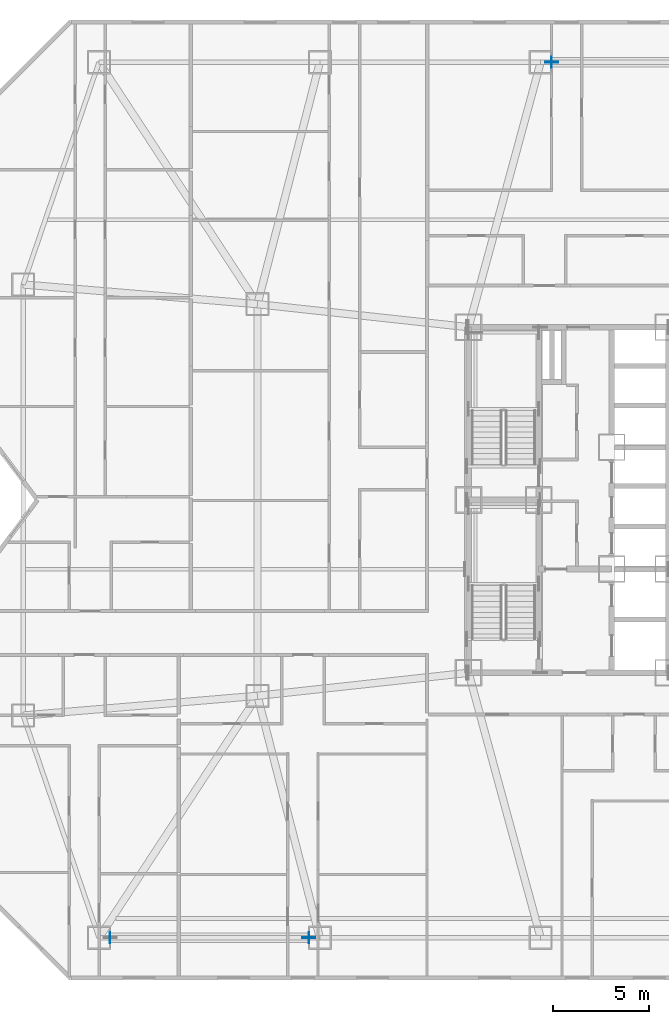
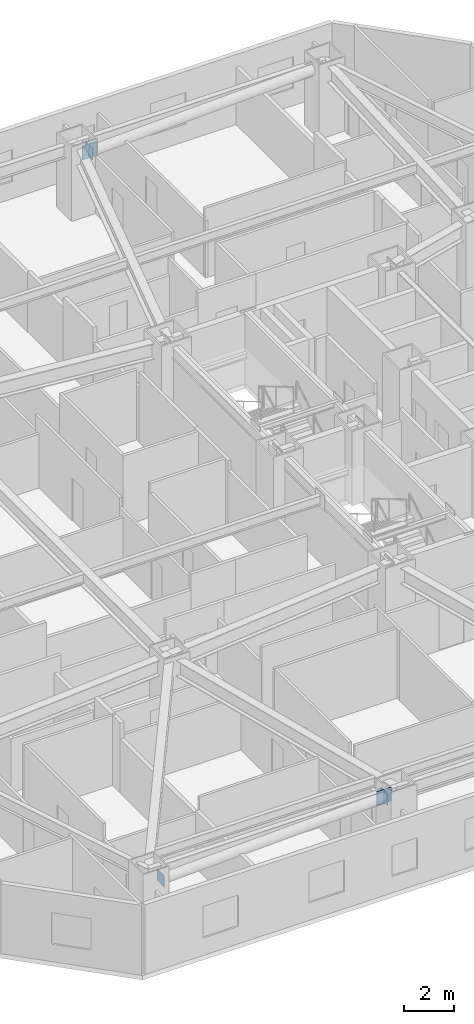
# One storey, part 15 of 25: 5 plates.
"""IFC4 building model written with IfcOpenShell, lengths in metres."""

from ifc_helpers import new_model, si_unit, direction, frame, origin, origin_2d, place, context, subcontext, project, spatial, rectangle, extrude, material, layer, layer_set, type_object, element, save


model = new_model("IFC4")

# Units and contexts
model_context = context("Model", 3, precision=1e-05, world=origin(), true_north=direction((0.0, 1.0)))
body_context = subcontext(model_context, "Body", "Model", "MODEL_VIEW")
ifc_project = project(units=[si_unit("LENGTHUNIT", "METRE"), si_unit("AREAUNIT", "SQUARE_METRE"), si_unit("VOLUMEUNIT", "CUBIC_METRE"), si_unit("PLANEANGLEUNIT", "RADIAN"), si_unit("MASSUNIT", "GRAM", prefix="KILO")], contexts=[model_context])

# Site, building, storey
site_placement = place(None, origin())
site = spatial("IfcSite", under=ifc_project, at=site_placement, CompositionType="ELEMENT")
building_placement = place(site_placement, origin())
building = spatial("IfcBuilding", under=site, at=building_placement, Name="Khamvora Tower", CompositionType="ELEMENT")
storey_placement = place(building_placement, frame((0.0, 0.0, 36.949951171875)))
storey = spatial("IfcBuildingStorey", under=building, at=storey_placement, Name="L08", CompositionType="ELEMENT", Elevation=36.949951171875)

# Plates
ifc_material_1 = material(Name="Steel S355", Category="steel")
ifc_layer_1 = layer(ifc_material_1, 0.02490234375)
ifc_layer_set_1 = layer_set([ifc_layer_1], Name="Steel S355")
plate_type_1 = type_object("IfcPlateType", Name="PL-CAP-25", PredefinedType="SHEET", material=ifc_layer_set_1)
for number, where, z_axis, x_axis, name in (
    (1, (10.318115234375, 5.199951171875, 2.41796875), (0.0, 0.0, 1.0), (1.0, 0.0, 0.0), "L08 hollow section steel end cap plate 0560"),
    (2, (20.681884765625, 5.199951171875, 2.81591796875), (0.0, 0.0, 1.0), (1.0, 0.0, 0.0), "L08 hollow section steel end cap plate 0561"),
    (3, (33.318115234375, 50.800048828125, 2.41796875), (0.0, 0.0, 1.0), (1.0, 0.0, 0.0), "L08 hollow section steel end cap plate 0562"),
):
    element("IfcPlate", number, at=place(storey_placement, frame(where, z_axis=z_axis, x_axis=x_axis)), inside=storey, type_object=plate_type_1, Name=name, PredefinedType="SHEET", context=body_context, shape_type="SweptSolid", body=[
        extrude(rectangle(XDim=0.02490234375, YDim=0.568115234375, at=origin_2d()), origin(), (0.0, 0.0, 1.0), 0.568115234375),
    ])
ifc_material_2 = material(Name="Steel S460", Category="steel")
ifc_layer_2 = layer(ifc_material_2, 0.0400390625)
ifc_layer_set_2 = layer_set([ifc_layer_2], Name="Steel S460")
plate_type_2 = type_object("IfcPlateType", Name="PLT-GUS-40", PredefinedType="SHEET", material=ifc_layer_set_2)
for number, where, z_axis, x_axis, name in (
    (4, (20.669921875, 5.199951171875, 2.76025390625), (0.0, 0.0, 1.0), (1.0, 0.0, 0.0), "L08 brace connection node gusset plate 0078"),
    (5, (33.330078125, 50.800048828125, 2.3623046875), (0.0, 0.0, 1.0), (1.0, 0.0, 0.0), "L08 brace connection node gusset plate 0079"),
):
    element("IfcPlate", number, at=place(storey_placement, frame(where, z_axis=z_axis, x_axis=x_axis)), inside=storey, type_object=plate_type_2, Name=name, PredefinedType="SHEET", context=body_context, shape_type="SweptSolid", body=[
        extrude(rectangle(XDim=0.679931640625, YDim=0.0400390625, at=origin_2d()), origin(), (0.0, 0.0, 1.0), 0.679931640625),
    ])

save(model, "model.ifc")
